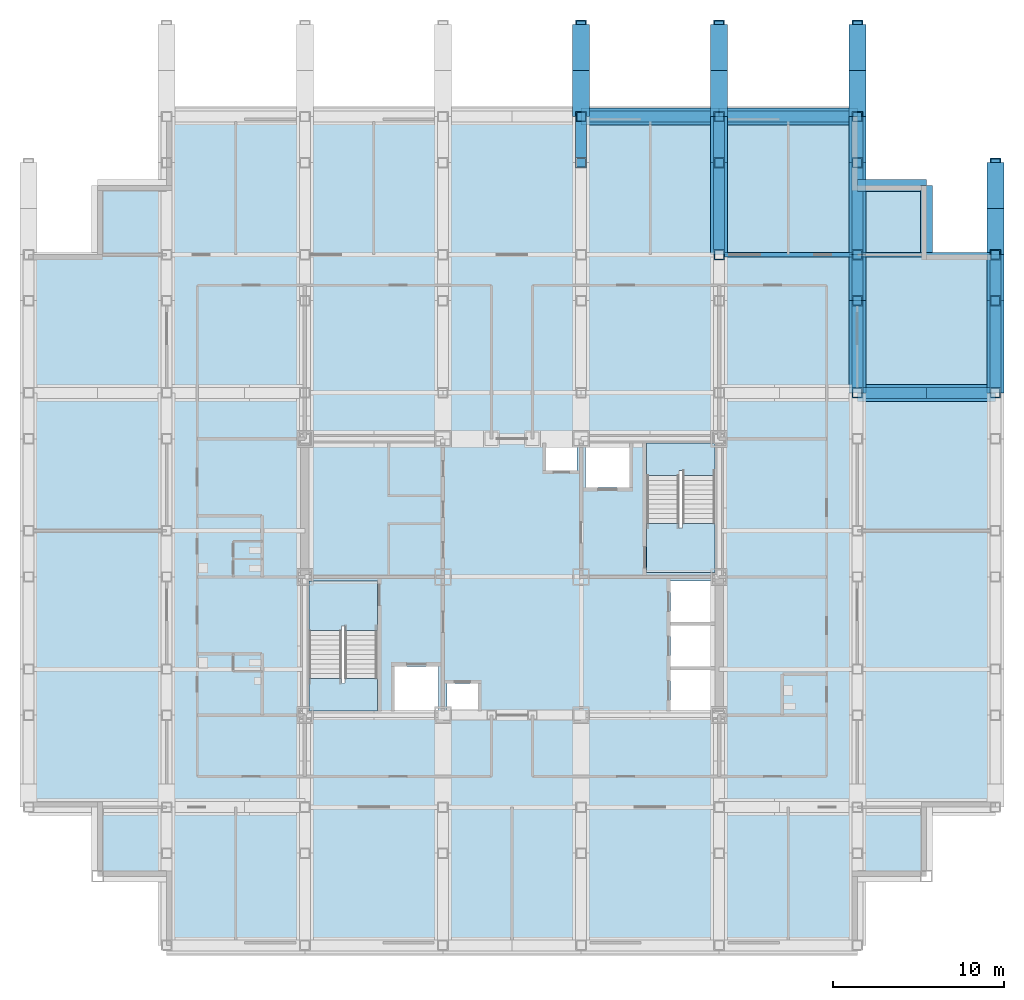
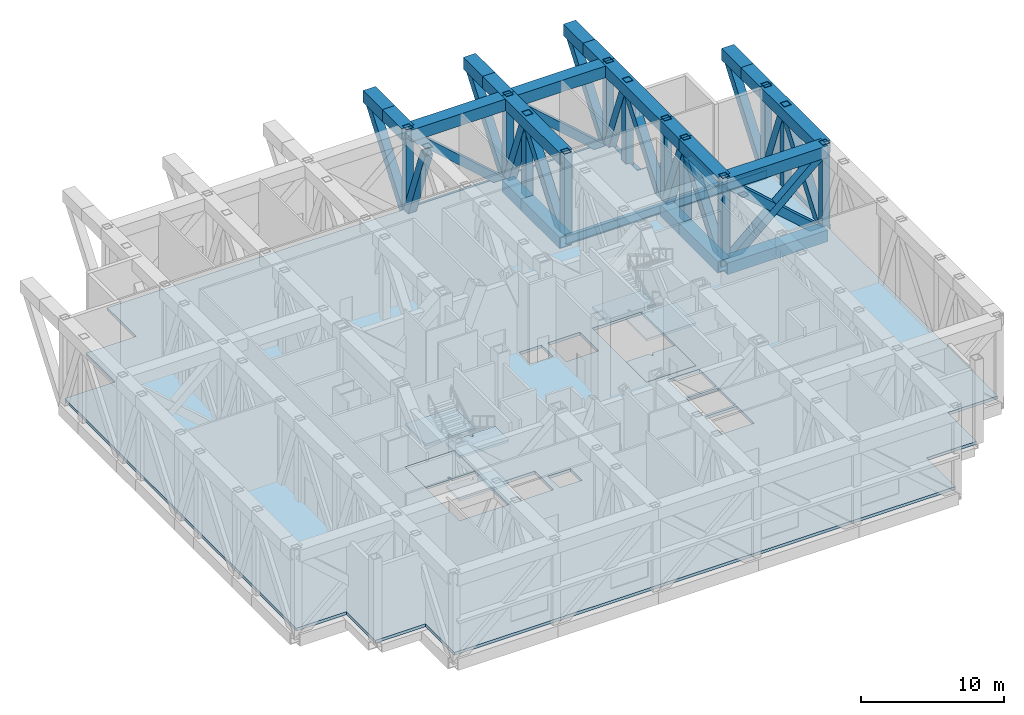
# One storey, part 6 of 13: 56 members, 8 slabs, 4 beams, 2 elements without a shape of their own.
"""IFC4 building model written with IfcOpenShell, lengths in metres."""

from ifc_helpers import new_model, si_unit, direction, frame, origin, origin_2d, place, context, subcontext, project, spatial, polyline, hollow_rectangle, i_section, outline, extrude, material, layer, layer_set, material_profile, profile_set, type_object, element, aggregate, save


model = new_model("IFC4")

# Units and contexts
model_context = context("Model", 3, precision=1e-05, world=origin(), true_north=direction((0.0, 1.0)))
body_context = subcontext(model_context, "Body", "Model", "MODEL_VIEW")
ifc_project = project(units=[si_unit("LENGTHUNIT", "METRE"), si_unit("AREAUNIT", "SQUARE_METRE"), si_unit("VOLUMEUNIT", "CUBIC_METRE"), si_unit("PLANEANGLEUNIT", "RADIAN"), si_unit("MASSUNIT", "GRAM", prefix="KILO")], contexts=[model_context])

# Site, building, storey
site_placement = place(None, origin())
site = spatial("IfcSite", under=ifc_project, at=site_placement, CompositionType="ELEMENT")
building_placement = place(site_placement, origin())
building = spatial("IfcBuilding", under=site, at=building_placement, Name="Kopane Lantern Tower", CompositionType="ELEMENT")
storey_placement = place(building_placement, frame((0.0, 0.0, 235.199951171875)))
storey = spatial("IfcBuildingStorey", under=building, at=storey_placement, Name="L61", CompositionType="ELEMENT", Elevation=235.199951171875)

# Beams
ifc_material_1 = material(Name="Steel S355JR", Category="steel")
ifc_material_profile_1 = material_profile(ifc_material_1, hollow_rectangle(XDim=0.699951171875, YDim=0.699951171875, WallThickness=0.06005859375, at=origin_2d()), Name="BOX 700x700x60")
ifc_profile_set_1 = profile_set([ifc_material_profile_1], Name="Steel S355JR")
beam_type_1 = type_object("IfcBeamType", Name="EDGE BEAM BOX 700x700x60", PredefinedType="BEAM", material=ifc_profile_set_1)
beam_1_placement = place(storey_placement, frame((52.64990234375, 55.35009765625, -0.599853515625), z_axis=(-1.0, 0.0, 0.0), x_axis=(0.0, -1.0, 0.0)))
element("IfcBeam", 1, at=beam_1_placement, inside=storey, type_object=beam_type_1, Name="Edge Beam L61", PredefinedType="BEAM", context=body_context, shape_type="SweptSolid", body=[
    extrude(hollow_rectangle(XDim=0.699951171875, YDim=0.699951171875, WallThickness=0.06005859375, at=origin_2d()), origin(), (0.0, 0.0, 1.0), 4.0498046875),
])
beam_2_placement = place(storey_placement, frame((52.64990234375, 55.35009765625, -0.599853515625), z_axis=(0.0, -1.0, 0.0), x_axis=(1.0, 0.0, 0.0)))
element("IfcBeam", 2, at=beam_2_placement, inside=storey, type_object=beam_type_1, Name="Edge Beam L61", PredefinedType="BEAM", context=body_context, shape_type="SweptSolid", body=[
    extrude(hollow_rectangle(XDim=0.699951171875, YDim=0.699951171875, WallThickness=0.06005859375, at=origin_2d()), origin(), (0.0, 0.0, 1.0), 4.050048828125),
])
ifc_material_2 = material(Name="Steel S355JR", Category="steel")
ifc_material_profile_2 = material_profile(ifc_material_2, i_section(OverallWidth=0.2666015625, OverallDepth=0.76220703125, WebThickness=0.014404296875, FlangeThickness=0.021484375, FilletRadius=0.0166015625, at=origin_2d()), Name="UB 762x267x173")
ifc_profile_set_2 = profile_set([ifc_material_profile_2], Name="Steel S355JR")
beam_type_2 = type_object("IfcBeamType", Name="GIRDER UB 762x267x173", PredefinedType="BEAM", material=ifc_profile_set_2)
beam_3_placement = place(storey_placement, frame((40.5, 51.300048828125, -0.631103515625), z_axis=(1.0, 0.0, 0.0), x_axis=(0.0, 1.0, 0.0)))
element("IfcBeam", 3, at=beam_3_placement, inside=storey, type_object=beam_type_2, Name="Girder L61", PredefinedType="BEAM", context=body_context, shape_type="SweptSolid", body=[
    extrude(i_section(OverallWidth=0.2666015625, OverallDepth=0.76220703125, WebThickness=0.014404296875, FlangeThickness=0.021484375, FilletRadius=0.0166015625, at=origin_2d()), origin(), (0.0, 0.0, 1.0), 8.10009765625),
])
beam_4_placement = place(storey_placement, frame((48.60009765625, 51.300048828125, -0.631103515625), z_axis=(1.0, 0.0, 0.0), x_axis=(0.0, 1.0, 0.0)))
element("IfcBeam", 4, at=beam_4_placement, inside=storey, type_object=beam_type_2, Name="Girder L61", PredefinedType="BEAM", context=body_context, shape_type="SweptSolid", body=[
    extrude(i_section(OverallWidth=0.2666015625, OverallDepth=0.76220703125, WebThickness=0.014404296875, FlangeThickness=0.021484375, FilletRadius=0.0166015625, at=origin_2d()), origin(), (0.0, 0.0, 1.0), 8.099853515625),
])

# Members
ifc_material_3 = material(Name="Steel S355JR", Category="steel")
ifc_material_profile_3 = material_profile(ifc_material_3, hollow_rectangle(XDim=1.0, YDim=1.0, WallThickness=0.080078125, at=origin_2d()), Name="BOX 1000x1000x80")
ifc_profile_set_3 = profile_set([ifc_material_profile_3], Name="Steel S355JR")
member_type_1 = type_object("IfcMemberType", Name="TRUSS CHORD BOX 1000x1000x80", PredefinedType="CHORD", material=ifc_profile_set_3)
member_1_placement = place(storey_placement, frame((32.39990234375, 59.39990234375, 6.449951171875), z_axis=(0.0, 1.0, 0.0), x_axis=(-1.0, 0.0, 0.0)))
element("IfcMember", 5, at=member_1_placement, inside=storey, type_object=member_type_1, Name="Transfer truss 6 L61 truss chord", PredefinedType="CHORD", context=body_context, shape_type="SweptSolid", body=[
    extrude(hollow_rectangle(XDim=1.0, YDim=1.0, WallThickness=0.080078125, at=origin_2d()), origin(), (0.0, 0.0, 1.0), 2.7001953125),
])
member_2_placement = place(storey_placement, frame((32.39990234375, 62.10009765625, 6.449951171875), z_axis=(0.0, 1.0, 0.0), x_axis=(-1.0, 0.0, 0.0)))
element("IfcMember", 6, at=member_2_placement, inside=storey, type_object=member_type_1, Name="Transfer truss 6 L61 truss chord", PredefinedType="CHORD", context=body_context, shape_type="SweptSolid", body=[
    extrude(hollow_rectangle(XDim=1.0, YDim=1.0, WallThickness=0.080078125, at=origin_2d()), origin(), (0.0, 0.0, 1.0), 2.699951171875),
])
member_3_placement = place(storey_placement, frame((40.5, 51.300048828125, -0.75), z_axis=(0.0, 1.0, 0.0), x_axis=(-1.0, 0.0, 0.0)))
element("IfcMember", 7, at=member_3_placement, inside=storey, type_object=member_type_1, Name="Transfer truss 7 L61 truss chord", PredefinedType="CHORD", context=body_context, shape_type="SweptSolid", body=[
    extrude(hollow_rectangle(XDim=1.0, YDim=1.0, WallThickness=0.080078125, at=origin_2d()), origin(), (0.0, 0.0, 1.0), 5.39990234375),
])
member_4_placement = place(storey_placement, frame((40.5, 56.699951171875, -0.75), z_axis=(0.0, 1.0, 0.0), x_axis=(-1.0, 0.0, 0.0)))
element("IfcMember", 8, at=member_4_placement, inside=storey, type_object=member_type_1, Name="Transfer truss 7 L61 truss chord", PredefinedType="CHORD", context=body_context, shape_type="SweptSolid", body=[
    extrude(hollow_rectangle(XDim=1.0, YDim=1.0, WallThickness=0.080078125, at=origin_2d()), origin(), (0.0, 0.0, 1.0), 2.699951171875),
])
member_5_placement = place(storey_placement, frame((40.5, 51.300048828125, 6.449951171875), z_axis=(0.0, 1.0, 0.0), x_axis=(-1.0, 0.0, 0.0)))
element("IfcMember", 9, at=member_5_placement, inside=storey, type_object=member_type_1, Name="Transfer truss 7 L61 truss chord", PredefinedType="CHORD", context=body_context, shape_type="SweptSolid", body=[
    extrude(hollow_rectangle(XDim=1.0, YDim=1.0, WallThickness=0.080078125, at=origin_2d()), origin(), (0.0, 0.0, 1.0), 8.099853515625),
])
member_6_placement = place(storey_placement, frame((40.5, 59.39990234375, 6.449951171875), z_axis=(0.0, 1.0, 0.0), x_axis=(-1.0, 0.0, 0.0)))
element("IfcMember", 10, at=member_6_placement, inside=storey, type_object=member_type_1, Name="Transfer truss 7 L61 truss chord", PredefinedType="CHORD", context=body_context, shape_type="SweptSolid", body=[
    extrude(hollow_rectangle(XDim=1.0, YDim=1.0, WallThickness=0.080078125, at=origin_2d()), origin(), (0.0, 0.0, 1.0), 2.7001953125),
])
member_7_placement = place(storey_placement, frame((40.5, 62.10009765625, 6.449951171875), z_axis=(0.0, 1.0, 0.0), x_axis=(-1.0, 0.0, 0.0)))
element("IfcMember", 11, at=member_7_placement, inside=storey, type_object=member_type_1, Name="Transfer truss 7 L61 truss chord", PredefinedType="CHORD", context=body_context, shape_type="SweptSolid", body=[
    extrude(hollow_rectangle(XDim=1.0, YDim=1.0, WallThickness=0.080078125, at=origin_2d()), origin(), (0.0, 0.0, 1.0), 2.699951171875),
])
member_8_placement = place(storey_placement, frame((48.60009765625, 43.199951171875, -0.75), z_axis=(0.0, 1.0, 0.0), x_axis=(-1.0, 0.0, 0.0)))
element("IfcMember", 12, at=member_8_placement, inside=storey, type_object=member_type_1, Name="Transfer truss 8 L61 truss chord", PredefinedType="CHORD", context=body_context, shape_type="SweptSolid", body=[
    extrude(hollow_rectangle(XDim=1.0, YDim=1.0, WallThickness=0.080078125, at=origin_2d()), origin(), (0.0, 0.0, 1.0), 5.400146484375),
])
member_9_placement = place(storey_placement, frame((48.60009765625, 48.60009765625, -0.75), z_axis=(0.0, 1.0, 0.0), x_axis=(-1.0, 0.0, 0.0)))
element("IfcMember", 13, at=member_9_placement, inside=storey, type_object=member_type_1, Name="Transfer truss 8 L61 truss chord", PredefinedType="CHORD", context=body_context, shape_type="SweptSolid", body=[
    extrude(hollow_rectangle(XDim=1.0, YDim=1.0, WallThickness=0.080078125, at=origin_2d()), origin(), (0.0, 0.0, 1.0), 2.699951171875),
])
member_10_placement = place(storey_placement, frame((48.60009765625, 51.300048828125, -0.75), z_axis=(0.0, 1.0, 0.0), x_axis=(-1.0, 0.0, 0.0)))
element("IfcMember", 14, at=member_10_placement, inside=storey, type_object=member_type_1, Name="Transfer truss 8 L61 truss chord", PredefinedType="CHORD", context=body_context, shape_type="SweptSolid", body=[
    extrude(hollow_rectangle(XDim=1.0, YDim=1.0, WallThickness=0.080078125, at=origin_2d()), origin(), (0.0, 0.0, 1.0), 5.39990234375),
])
member_11_placement = place(storey_placement, frame((48.60009765625, 56.699951171875, -0.75), z_axis=(0.0, 1.0, 0.0), x_axis=(-1.0, 0.0, 0.0)))
element("IfcMember", 15, at=member_11_placement, inside=storey, type_object=member_type_1, Name="Transfer truss 8 L61 truss chord", PredefinedType="CHORD", context=body_context, shape_type="SweptSolid", body=[
    extrude(hollow_rectangle(XDim=1.0, YDim=1.0, WallThickness=0.080078125, at=origin_2d()), origin(), (0.0, 0.0, 1.0), 2.699951171875),
])
member_12_placement = place(storey_placement, frame((48.60009765625, 43.199951171875, 6.449951171875), z_axis=(0.0, 1.0, 0.0), x_axis=(-1.0, 0.0, 0.0)))
element("IfcMember", 16, at=member_12_placement, inside=storey, type_object=member_type_1, Name="Transfer truss 8 L61 truss chord", PredefinedType="CHORD", context=body_context, shape_type="SweptSolid", body=[
    extrude(hollow_rectangle(XDim=1.0, YDim=1.0, WallThickness=0.080078125, at=origin_2d()), origin(), (0.0, 0.0, 1.0), 5.400146484375),
])
member_13_placement = place(storey_placement, frame((48.60009765625, 48.60009765625, 6.449951171875), z_axis=(0.0, 1.0, 0.0), x_axis=(-1.0, 0.0, 0.0)))
element("IfcMember", 17, at=member_13_placement, inside=storey, type_object=member_type_1, Name="Transfer truss 8 L61 truss chord", PredefinedType="CHORD", context=body_context, shape_type="SweptSolid", body=[
    extrude(hollow_rectangle(XDim=1.0, YDim=1.0, WallThickness=0.080078125, at=origin_2d()), origin(), (0.0, 0.0, 1.0), 2.699951171875),
])
member_14_placement = place(storey_placement, frame((48.60009765625, 51.300048828125, 6.449951171875), z_axis=(0.0, 1.0, 0.0), x_axis=(-1.0, 0.0, 0.0)))
element("IfcMember", 18, at=member_14_placement, inside=storey, type_object=member_type_1, Name="Transfer truss 8 L61 truss chord", PredefinedType="CHORD", context=body_context, shape_type="SweptSolid", body=[
    extrude(hollow_rectangle(XDim=1.0, YDim=1.0, WallThickness=0.080078125, at=origin_2d()), origin(), (0.0, 0.0, 1.0), 8.099853515625),
])
member_15_placement = place(storey_placement, frame((48.60009765625, 59.39990234375, 6.449951171875), z_axis=(0.0, 1.0, 0.0), x_axis=(-1.0, 0.0, 0.0)))
element("IfcMember", 19, at=member_15_placement, inside=storey, type_object=member_type_1, Name="Transfer truss 8 L61 truss chord", PredefinedType="CHORD", context=body_context, shape_type="SweptSolid", body=[
    extrude(hollow_rectangle(XDim=1.0, YDim=1.0, WallThickness=0.080078125, at=origin_2d()), origin(), (0.0, 0.0, 1.0), 2.7001953125),
])
member_16_placement = place(storey_placement, frame((48.60009765625, 62.10009765625, 6.449951171875), z_axis=(0.0, 1.0, 0.0), x_axis=(-1.0, 0.0, 0.0)))
element("IfcMember", 20, at=member_16_placement, inside=storey, type_object=member_type_1, Name="Transfer truss 8 L61 truss chord", PredefinedType="CHORD", context=body_context, shape_type="SweptSolid", body=[
    extrude(hollow_rectangle(XDim=1.0, YDim=1.0, WallThickness=0.080078125, at=origin_2d()), origin(), (0.0, 0.0, 1.0), 2.699951171875),
])
member_17_placement = place(storey_placement, frame((56.699951171875, 43.199951171875, -0.75), z_axis=(0.0, 1.0, 0.0), x_axis=(-1.0, 0.0, 0.0)))
element("IfcMember", 21, at=member_17_placement, inside=storey, type_object=member_type_1, Name="Transfer truss 9 L61 truss chord", PredefinedType="CHORD", context=body_context, shape_type="SweptSolid", body=[
    extrude(hollow_rectangle(XDim=1.0, YDim=1.0, WallThickness=0.080078125, at=origin_2d()), origin(), (0.0, 0.0, 1.0), 5.400146484375),
])
member_18_placement = place(storey_placement, frame((56.699951171875, 48.60009765625, -0.75), z_axis=(0.0, 1.0, 0.0), x_axis=(-1.0, 0.0, 0.0)))
element("IfcMember", 22, at=member_18_placement, inside=storey, type_object=member_type_1, Name="Transfer truss 9 L61 truss chord", PredefinedType="CHORD", context=body_context, shape_type="SweptSolid", body=[
    extrude(hollow_rectangle(XDim=1.0, YDim=1.0, WallThickness=0.080078125, at=origin_2d()), origin(), (0.0, 0.0, 1.0), 2.699951171875),
])
member_19_placement = place(storey_placement, frame((56.699951171875, 43.199951171875, 6.449951171875), z_axis=(0.0, 1.0, 0.0), x_axis=(-1.0, 0.0, 0.0)))
element("IfcMember", 23, at=member_19_placement, inside=storey, type_object=member_type_1, Name="Transfer truss 9 L61 truss chord", PredefinedType="CHORD", context=body_context, shape_type="SweptSolid", body=[
    extrude(hollow_rectangle(XDim=1.0, YDim=1.0, WallThickness=0.080078125, at=origin_2d()), origin(), (0.0, 0.0, 1.0), 8.10009765625),
])
for number, where, z_axis, x_axis, name in (
    (24, (56.699951171875, 51.300048828125, 6.449951171875), (0.0, 1.0, 0.0), (-1.0, 0.0, 0.0), "Transfer truss 9 L61 truss chord"),
    (25, (56.699951171875, 54.0, 6.449951171875), (0.0, 1.0, 0.0), (-1.0, 0.0, 0.0), "Transfer truss 9 L61 truss chord"),
):
    element("IfcMember", number, at=place(storey_placement, frame(where, z_axis=z_axis, x_axis=x_axis)), inside=storey, type_object=member_type_1, Name=name, PredefinedType="CHORD", context=body_context, shape_type="SweptSolid", body=[
        extrude(hollow_rectangle(XDim=1.0, YDim=1.0, WallThickness=0.080078125, at=origin_2d()), origin(), (0.0, 0.0, 1.0), 2.699951171875),
    ])
for number, where, z_axis, x_axis, name in (
    (26, (32.39990234375, 59.39990234375, -0.75), (1.0, 0.0, 0.0), (0.0, 1.0, 0.0), "Belt truss N L61 truss chord"),
    (27, (32.39990234375, 59.39990234375, 6.449951171875), (1.0, 0.0, 0.0), (0.0, 1.0, 0.0), "Belt truss N L61 truss chord"),
    (28, (40.5, 59.39990234375, -0.75), (1.0, 0.0, 0.0), (0.0, 1.0, 0.0), "Belt truss N L61 truss chord"),
    (29, (40.5, 59.39990234375, 6.449951171875), (1.0, 0.0, 0.0), (0.0, 1.0, 0.0), "Belt truss N L61 truss chord"),
):
    element("IfcMember", number, at=place(storey_placement, frame(where, z_axis=z_axis, x_axis=x_axis)), inside=storey, type_object=member_type_1, Name=name, PredefinedType="CHORD", context=body_context, shape_type="SweptSolid", body=[
        extrude(hollow_rectangle(XDim=1.0, YDim=1.0, WallThickness=0.080078125, at=origin_2d()), origin(), (0.0, 0.0, 1.0), 8.10009765625),
    ])
for number, where, z_axis, x_axis, name in (
    (30, (56.699951171875, 43.199951171875, -0.75), (-1.0, 0.0, 0.0), (0.0, -1.0, 0.0), "Outrigger truss E43.2 L61 truss chord"),
    (31, (56.699951171875, 43.199951171875, 6.449951171875), (-1.0, 0.0, 0.0), (0.0, -1.0, 0.0), "Outrigger truss E43.2 L61 truss chord"),
):
    element("IfcMember", number, at=place(storey_placement, frame(where, z_axis=z_axis, x_axis=x_axis)), inside=storey, type_object=member_type_1, Name=name, PredefinedType="CHORD", context=body_context, shape_type="SweptSolid", body=[
        extrude(hollow_rectangle(XDim=1.0, YDim=1.0, WallThickness=0.080078125, at=origin_2d()), origin(), (0.0, 0.0, 1.0), 8.099853515625),
    ])
ifc_material_4 = material(Name="Steel S355JR", Category="steel")
ifc_material_profile_4 = material_profile(ifc_material_4, hollow_rectangle(XDim=0.64990234375, YDim=0.64990234375, WallThickness=0.06005859375, at=origin_2d()), Name="BOX 650x650x60")
ifc_profile_set_4 = profile_set([ifc_material_profile_4], Name="Steel S355JR")
member_type_2 = type_object("IfcMemberType", Name="TRUSS DIAGONAL BOX 650x650x60", PredefinedType="BRACE", material=ifc_profile_set_4)
member_20_placement = place(storey_placement, frame((32.39990234375, 59.39990234375, -0.75), z_axis=(0.0, -0.351119962166, 0.936330482345), x_axis=(1.0, 0.0, 0.0)))
element("IfcMember", 32, at=member_20_placement, inside=storey, type_object=member_type_2, Name="Transfer truss 6 L61 truss diagonal", PredefinedType="BRACE", context=body_context, shape_type="SweptSolid", body=[
    extrude(hollow_rectangle(XDim=0.64990234375, YDim=0.64990234375, WallThickness=0.06005859375, at=origin_2d()), origin(), (0.0, 0.0, 1.0), 7.689453125),
])
for number, where, z_axis, x_axis, name in (
    (33, (32.39990234375, 59.39990234375, -0.75), (0.0, 0.600013020683, 0.799990234322), (-1.0, 0.0, 0.0), "Transfer truss 6 L61 truss diagonal"),
    (34, (40.5, 51.300048828125, -0.75), (0.0, 0.599995659666, 0.800003255232), (-1.0, 0.0, 0.0), "Transfer truss 7 L61 truss diagonal"),
):
    element("IfcMember", number, at=place(storey_placement, frame(where, z_axis=z_axis, x_axis=x_axis)), inside=storey, type_object=member_type_2, Name=name, PredefinedType="BRACE", context=body_context, shape_type="SweptSolid", body=[
        extrude(hollow_rectangle(XDim=0.64990234375, YDim=0.64990234375, WallThickness=0.06005859375, at=origin_2d()), origin(), (0.0, 0.0, 1.0), 9.0),
    ])
member_21_placement = place(storey_placement, frame((40.5, 59.39990234375, -0.75), z_axis=(0.0, -0.351119962166, 0.936330482345), x_axis=(1.0, 0.0, 0.0)))
element("IfcMember", 35, at=member_21_placement, inside=storey, type_object=member_type_2, Name="Transfer truss 7 L61 truss diagonal", PredefinedType="BRACE", context=body_context, shape_type="SweptSolid", body=[
    extrude(hollow_rectangle(XDim=0.64990234375, YDim=0.64990234375, WallThickness=0.06005859375, at=origin_2d()), origin(), (0.0, 0.0, 1.0), 7.689453125),
])
for number, where, z_axis, x_axis, name in (
    (36, (40.5, 59.39990234375, -0.75), (0.0, 0.600013020683, 0.799990234322), (-1.0, 0.0, 0.0), "Transfer truss 7 L61 truss diagonal"),
    (37, (48.60009765625, 43.199951171875, -0.75), (0.0, 0.600013020683, 0.799990234322), (-1.0, 0.0, 0.0), "Transfer truss 8 L61 truss diagonal"),
):
    element("IfcMember", number, at=place(storey_placement, frame(where, z_axis=z_axis, x_axis=x_axis)), inside=storey, type_object=member_type_2, Name=name, PredefinedType="BRACE", context=body_context, shape_type="SweptSolid", body=[
        extrude(hollow_rectangle(XDim=0.64990234375, YDim=0.64990234375, WallThickness=0.06005859375, at=origin_2d()), origin(), (0.0, 0.0, 1.0), 9.0),
    ])
member_22_placement = place(storey_placement, frame((48.60009765625, 51.300048828125, -0.75), z_axis=(0.0, -0.351119962166, 0.936330482345), x_axis=(1.0, 0.0, 0.0)))
element("IfcMember", 38, at=member_22_placement, inside=storey, type_object=member_type_2, Name="Transfer truss 8 L61 truss diagonal", PredefinedType="BRACE", context=body_context, shape_type="SweptSolid", body=[
    extrude(hollow_rectangle(XDim=0.64990234375, YDim=0.64990234375, WallThickness=0.06005859375, at=origin_2d()), origin(), (0.0, 0.0, 1.0), 7.689453125),
])
member_23_placement = place(storey_placement, frame((48.60009765625, 51.300048828125, -0.75), z_axis=(0.0, 0.599995659666, 0.800003255232), x_axis=(-1.0, 0.0, 0.0)))
element("IfcMember", 39, at=member_23_placement, inside=storey, type_object=member_type_2, Name="Transfer truss 8 L61 truss diagonal", PredefinedType="BRACE", context=body_context, shape_type="SweptSolid", body=[
    extrude(hollow_rectangle(XDim=0.64990234375, YDim=0.64990234375, WallThickness=0.06005859375, at=origin_2d()), origin(), (0.0, 0.0, 1.0), 9.0),
])
member_24_placement = place(storey_placement, frame((48.60009765625, 59.39990234375, -0.75), z_axis=(0.0, -0.351119962166, 0.936330482345), x_axis=(1.0, 0.0, 0.0)))
element("IfcMember", 40, at=member_24_placement, inside=storey, type_object=member_type_2, Name="Transfer truss 8 L61 truss diagonal", PredefinedType="BRACE", context=body_context, shape_type="SweptSolid", body=[
    extrude(hollow_rectangle(XDim=0.64990234375, YDim=0.64990234375, WallThickness=0.06005859375, at=origin_2d()), origin(), (0.0, 0.0, 1.0), 7.689453125),
])
for number, where, z_axis, x_axis, name in (
    (41, (48.60009765625, 59.39990234375, -0.75), (0.0, 0.600013020683, 0.799990234322), (-1.0, 0.0, 0.0), "Transfer truss 8 L61 truss diagonal"),
    (42, (56.699951171875, 43.199951171875, -0.75), (0.0, 0.600013020683, 0.799990234322), (-1.0, 0.0, 0.0), "Transfer truss 9 L61 truss diagonal"),
):
    element("IfcMember", number, at=place(storey_placement, frame(where, z_axis=z_axis, x_axis=x_axis)), inside=storey, type_object=member_type_2, Name=name, PredefinedType="BRACE", context=body_context, shape_type="SweptSolid", body=[
        extrude(hollow_rectangle(XDim=0.64990234375, YDim=0.64990234375, WallThickness=0.06005859375, at=origin_2d()), origin(), (0.0, 0.0, 1.0), 9.0),
    ])
member_25_placement = place(storey_placement, frame((56.699951171875, 51.300048828125, -0.75), z_axis=(0.0, -0.351119962166, 0.936330482345), x_axis=(1.0, 0.0, 0.0)))
element("IfcMember", 43, at=member_25_placement, inside=storey, type_object=member_type_2, Name="Transfer truss 9 L61 truss diagonal", PredefinedType="BRACE", context=body_context, shape_type="SweptSolid", body=[
    extrude(hollow_rectangle(XDim=0.64990234375, YDim=0.64990234375, WallThickness=0.06005859375, at=origin_2d()), origin(), (0.0, 0.0, 1.0), 7.689453125),
])
member_26_placement = place(storey_placement, frame((56.699951171875, 51.300048828125, -0.75), z_axis=(0.0, 0.599995659666, 0.800003255232), x_axis=(-1.0, 0.0, 0.0)))
element("IfcMember", 44, at=member_26_placement, inside=storey, type_object=member_type_2, Name="Transfer truss 9 L61 truss diagonal", PredefinedType="BRACE", context=body_context, shape_type="SweptSolid", body=[
    extrude(hollow_rectangle(XDim=0.64990234375, YDim=0.64990234375, WallThickness=0.06005859375, at=origin_2d()), origin(), (0.0, 0.0, 1.0), 9.0),
])
for number, where, z_axis, x_axis, name in (
    (45, (40.5, 59.39990234375, -0.75), (-0.747415533118, 0.0, 0.664356847525), (0.0, -1.0, 0.0), "Belt truss N L61 truss diagonal"),
    (46, (48.60009765625, 59.39990234375, -0.75), (-0.747415533118, 0.0, 0.664356847525), (0.0, -1.0, 0.0), "Belt truss N L61 truss diagonal"),
    (47, (56.699951171875, 43.199951171875, -0.75), (-0.747405589929, 0.0, 0.664368033655), (0.0, -1.0, 0.0), "Outrigger truss E43.2 L61 truss diagonal"),
    (48, (48.60009765625, 43.199951171875, -0.75), (0.747405589929, 0.0, 0.664368033655), (0.0, 1.0, 0.0), "Outrigger truss E43.2 L61 truss diagonal"),
):
    element("IfcMember", number, at=place(storey_placement, frame(where, z_axis=z_axis, x_axis=x_axis)), inside=storey, type_object=member_type_2, Name=name, PredefinedType="BRACE", context=body_context, shape_type="SweptSolid", body=[
        extrude(hollow_rectangle(XDim=0.64990234375, YDim=0.64990234375, WallThickness=0.06005859375, at=origin_2d()), origin(), (0.0, 0.0, 1.0), 10.83740234375),
    ])
ifc_material_5 = material(Name="Steel S355JR", Category="steel")
ifc_material_profile_5 = material_profile(ifc_material_5, hollow_rectangle(XDim=0.60009765625, YDim=0.60009765625, WallThickness=0.050048828125, at=origin_2d()), Name="BOX 600x600x50")
ifc_profile_set_5 = profile_set([ifc_material_profile_5], Name="Steel S355JR")
member_type_3 = type_object("IfcMemberType", Name="TRUSS POST BOX 600x600x50", PredefinedType="POST", material=ifc_profile_set_5)
for number, where, z_axis, x_axis, name in (
    (49, (32.39990234375, 59.39990234375, -0.75), (0.0, 0.0, 1.0), (1.0, 0.0, 0.0), "Transfer truss 6 L61 truss post"),
    (50, (40.5, 51.300048828125, -0.75), (0.0, 0.0, 1.0), (1.0, 0.0, 0.0), "Transfer truss 7 L61 truss post"),
    (51, (40.5, 56.699951171875, -0.75), (0.0, 0.0, 1.0), (1.0, 0.0, 0.0), "Transfer truss 7 L61 truss post"),
    (52, (40.5, 59.39990234375, -0.75), (0.0, 0.0, 1.0), (1.0, 0.0, 0.0), "Transfer truss 7 L61 truss post"),
    (53, (48.60009765625, 43.199951171875, -0.75), (0.0, 0.0, 1.0), (1.0, 0.0, 0.0), "Transfer truss 8 L61 truss post"),
    (54, (48.60009765625, 48.60009765625, -0.75), (0.0, 0.0, 1.0), (1.0, 0.0, 0.0), "Transfer truss 8 L61 truss post"),
    (55, (48.60009765625, 51.300048828125, -0.75), (0.0, 0.0, 1.0), (1.0, 0.0, 0.0), "Transfer truss 8 L61 truss post"),
    (56, (48.60009765625, 56.699951171875, -0.75), (0.0, 0.0, 1.0), (1.0, 0.0, 0.0), "Transfer truss 8 L61 truss post"),
    (57, (48.60009765625, 59.39990234375, -0.75), (0.0, 0.0, 1.0), (1.0, 0.0, 0.0), "Transfer truss 8 L61 truss post"),
    (58, (56.699951171875, 43.199951171875, -0.75), (0.0, 0.0, 1.0), (1.0, 0.0, 0.0), "Transfer truss 9 L61 truss post"),
    (59, (56.699951171875, 48.60009765625, -0.75), (0.0, 0.0, 1.0), (1.0, 0.0, 0.0), "Transfer truss 9 L61 truss post"),
    (60, (56.699951171875, 51.300048828125, -0.75), (0.0, 0.0, 1.0), (1.0, 0.0, 0.0), "Transfer truss 9 L61 truss post"),
):
    element("IfcMember", number, at=place(storey_placement, frame(where, z_axis=z_axis, x_axis=x_axis)), inside=storey, type_object=member_type_3, Name=name, PredefinedType="POST", context=body_context, shape_type="SweptSolid", body=[
        extrude(hollow_rectangle(XDim=0.60009765625, YDim=0.60009765625, WallThickness=0.050048828125, at=origin_2d()), origin(), (0.0, 0.0, 1.0), 7.699951171875),
    ])

# Slab
ifc_material_6 = material(Name="Concrete C40/50", Category="concrete")
ifc_layer_1 = layer(ifc_material_6, 0.25)
ifc_layer_set_1 = layer_set([ifc_layer_1], Name="SLAB 250 COMPOSITE")
slab_type_1 = type_object("IfcSlabType", Name="SLAB 250 COMPOSITE", PredefinedType="FLOOR", material=ifc_layer_set_1)
slab_1_placement = place(storey_placement, frame((0.0, 0.0, -0.25)))
element("IfcSlab", 61, at=slab_1_placement, inside=storey, type_object=slab_type_1, Name="Floor slab L61", PredefinedType="FLOOR", context=body_context, shape_type="SweptSolid", body=[
    extrude(outline(polyline([(8.10009765625, 10.800048828125), (48.60009765625, 10.800048828125), (48.60009765625, 14.85009765625), (52.64990234375, 14.85009765625), (52.64990234375, 18.89990234375), (56.699951171875, 18.89990234375), (56.699951171875, 51.300048828125), (52.64990234375, 51.300048828125), (52.64990234375, 55.35009765625), (48.60009765625, 55.35009765625), (48.60009765625, 59.39990234375), (8.10009765625, 59.39990234375), (8.10009765625, 55.35009765625), (4.050048828125, 55.35009765625), (4.050048828125, 51.300048828125), (0.0, 51.300048828125), (0.0, 18.89990234375), (4.050048828125, 18.89990234375), (4.050048828125, 14.85009765625), (8.10009765625, 14.85009765625), (8.10009765625, 10.800048828125)]), holes=[polyline([(16.449951171875, 24.550048828125), (20.449951171875, 24.550048828125), (20.449951171875, 32.14990234375), (16.449951171875, 32.14990234375), (16.449951171875, 24.550048828125)]), polyline([(36.25, 32.64990234375), (40.25, 32.64990234375), (40.25, 40.25), (36.25, 40.25), (36.25, 32.64990234375)]), polyline([(37.64990234375, 24.550048828125), (40.25, 24.550048828125), (40.25, 26.949951171875), (37.64990234375, 26.949951171875), (37.64990234375, 24.550048828125)]), polyline([(37.64990234375, 27.14990234375), (40.25, 27.14990234375), (40.25, 29.550048828125), (37.64990234375, 29.550048828125), (37.64990234375, 27.14990234375)]), polyline([(37.64990234375, 29.75), (40.25, 29.75), (40.25, 32.14990234375), (37.64990234375, 32.14990234375), (37.64990234375, 29.75)]), polyline([(21.449951171875, 24.550048828125), (24.050048828125, 24.550048828125), (24.050048828125, 27.14990234375), (21.449951171875, 27.14990234375), (21.449951171875, 24.550048828125)]), polyline([(32.64990234375, 37.64990234375), (35.25, 37.64990234375), (35.25, 40.25), (32.64990234375, 40.25), (32.64990234375, 37.64990234375)]), polyline([(24.550048828125, 24.550048828125), (26.35009765625, 24.550048828125), (26.35009765625, 26.14990234375), (24.550048828125, 26.14990234375), (24.550048828125, 24.550048828125)]), polyline([(30.35009765625, 38.64990234375), (32.14990234375, 38.64990234375), (32.14990234375, 40.25), (30.35009765625, 40.25), (30.35009765625, 38.64990234375)])]), origin(), (0.0, 0.0, 1.0), 0.25),
])

# Stair, slabs
ifc_material_7 = material(Name="Steel S355JR", Category="steel")
stair_type = type_object("IfcStairType", Name="EXIT STAIR 1900 HALF TURN", PredefinedType="HALF_TURN_STAIR", material=ifc_material_7)
stair_1_placement = place(storey_placement, origin())
stair_1 = element("IfcStair", 62, at=stair_1_placement, inside=storey, type_object=stair_type, Name="Exit stair ST1 L61", PredefinedType="HALF_TURN_STAIR")
ifc_material_8 = material(Name="Concrete C40/50", Category="concrete")
ifc_layer_2 = layer(ifc_material_8, 0.199951171875)
ifc_layer_set_2 = layer_set([ifc_layer_2], Name="STAIR LANDING 200")
slab_type_2 = type_object("IfcSlabType", Name="STAIR LANDING 200", PredefinedType="LANDING", material=ifc_layer_set_2)
slab_2_placement = place(storey_placement, frame((0.0, 0.0, -0.199951171875)))
slab_2 = element("IfcSlab", 63, at=slab_2_placement, type_object=slab_type_2, Name="ST1 landing 1", PredefinedType="LANDING", context=body_context, shape_type="SweptSolid", body=[
    extrude(outline(polyline([(18.35009765625, 29.530029296875), (18.550048828125, 29.530029296875), (18.550048828125, 29.25), (20.449951171875, 29.25), (20.449951171875, 32.14990234375), (16.449951171875, 32.14990234375), (16.449951171875, 29.25), (18.35009765625, 29.25), (18.35009765625, 29.530029296875)])), origin(), (0.0, 0.0, 1.0), 0.199951171875),
])
slab_3_placement = place(storey_placement, frame((0.0, 0.0, 1.641845703125)))
slab_3 = element("IfcSlab", 64, at=slab_3_placement, type_object=slab_type_2, Name="ST1 landing 2", PredefinedType="LANDING", context=body_context, shape_type="SweptSolid", body=[
    extrude(outline(polyline([(20.449951171875, 26.449951171875), (18.550048828125, 26.449951171875), (18.550048828125, 26.169921875), (18.35009765625, 26.169921875), (18.35009765625, 26.449951171875), (16.449951171875, 26.449951171875), (16.449951171875, 24.550048828125), (20.449951171875, 24.550048828125), (20.449951171875, 26.449951171875)])), origin(), (0.0, 0.0, 1.0), 0.2001953125),
])
slab_4_placement = place(storey_placement, frame((0.0, 0.0, 3.483642578125)))
slab_4 = element("IfcSlab", 65, at=slab_4_placement, type_object=slab_type_2, Name="ST1 landing 3", PredefinedType="LANDING", context=body_context, shape_type="SweptSolid", body=[
    extrude(outline(polyline([(18.35009765625, 29.530029296875), (18.550048828125, 29.530029296875), (18.550048828125, 29.25), (20.449951171875, 29.25), (20.449951171875, 32.14990234375), (16.449951171875, 32.14990234375), (16.449951171875, 29.25), (18.35009765625, 29.25), (18.35009765625, 29.530029296875)])), origin(), (0.0, 0.0, 1.0), 0.2001953125),
])
slab_5_placement = place(storey_placement, frame((0.0, 0.0, 5.32568359375)))
slab_5 = element("IfcSlab", 66, at=slab_5_placement, type_object=slab_type_2, Name="ST1 landing 4", PredefinedType="LANDING", context=body_context, shape_type="SweptSolid", body=[
    extrude(outline(polyline([(20.449951171875, 26.449951171875), (18.550048828125, 26.449951171875), (18.550048828125, 26.169921875), (18.35009765625, 26.169921875), (18.35009765625, 26.449951171875), (16.449951171875, 26.449951171875), (16.449951171875, 24.550048828125), (20.449951171875, 24.550048828125), (20.449951171875, 26.449951171875)])), origin(), (0.0, 0.0, 1.0), 0.199951171875),
])
aggregate(stair_1, [slab_2, slab_3, slab_4, slab_5])

stair_2_placement = place(storey_placement, origin())
stair_2 = element("IfcStair", 67, at=stair_2_placement, inside=storey, type_object=stair_type, Name="Exit stair ST2 L61", PredefinedType="HALF_TURN_STAIR")
slab_6_placement = place(storey_placement, frame((0.0, 0.0, -0.199951171875)))
slab_6 = element("IfcSlab", 68, at=slab_6_placement, type_object=slab_type_2, Name="ST2 landing 1", PredefinedType="LANDING", context=body_context, shape_type="SweptSolid", body=[
    extrude(outline(polyline([(40.25, 35.550048828125), (38.35009765625, 35.550048828125), (38.35009765625, 35.27001953125), (38.14990234375, 35.27001953125), (38.14990234375, 35.550048828125), (36.25, 35.550048828125), (36.25, 32.64990234375), (40.25, 32.64990234375), (40.25, 35.550048828125)])), origin(), (0.0, 0.0, 1.0), 0.199951171875),
])
slab_7_placement = place(storey_placement, frame((0.0, 0.0, 1.641845703125)))
slab_7 = element("IfcSlab", 69, at=slab_7_placement, type_object=slab_type_2, Name="ST2 landing 2", PredefinedType="LANDING", context=body_context, shape_type="SweptSolid", body=[
    extrude(outline(polyline([(38.14990234375, 38.6298828125), (38.35009765625, 38.6298828125), (38.35009765625, 38.35009765625), (40.25, 38.35009765625), (40.25, 40.25), (36.25, 40.25), (36.25, 38.35009765625), (38.14990234375, 38.35009765625), (38.14990234375, 38.6298828125)])), origin(), (0.0, 0.0, 1.0), 0.2001953125),
])
slab_8_placement = place(storey_placement, frame((0.0, 0.0, 3.483642578125)))
slab_8 = element("IfcSlab", 70, at=slab_8_placement, type_object=slab_type_2, Name="ST2 landing 3", PredefinedType="LANDING", context=body_context, shape_type="SweptSolid", body=[
    extrude(outline(polyline([(40.25, 35.550048828125), (38.35009765625, 35.550048828125), (38.35009765625, 35.27001953125), (38.14990234375, 35.27001953125), (38.14990234375, 35.550048828125), (36.25, 35.550048828125), (36.25, 32.64990234375), (40.25, 32.64990234375), (40.25, 35.550048828125)])), origin(), (0.0, 0.0, 1.0), 0.2001953125),
])
aggregate(stair_2, [slab_6, slab_7, slab_8])

save(model, "model.ifc")
